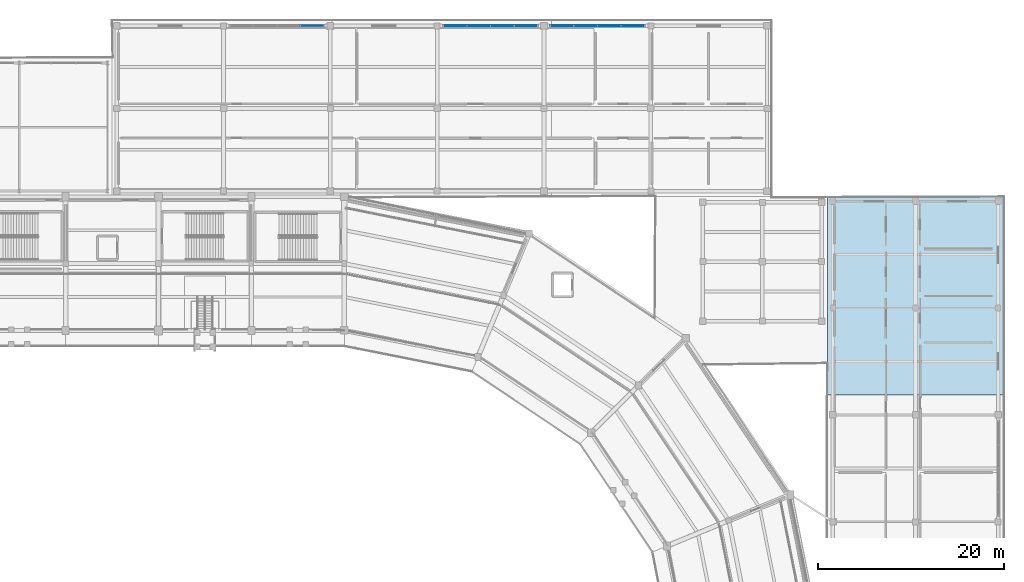
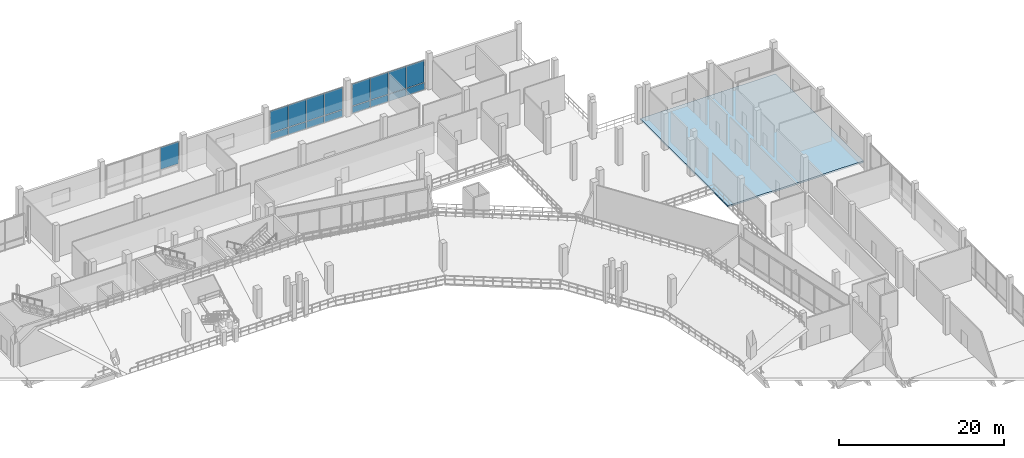
# One storey, part 71 of 127: 17 plates, 1 slab, 3 elements without a shape of their own.
"""IFC4 building model written with IfcOpenShell, lengths in metres."""

from ifc_helpers import new_model, si_unit, direction, frame, origin, origin_2d, place, context, subcontext, project, spatial, polyline, rectangle, outline, extrude, material, layer, layer_set, type_object, element, aggregate, save


model = new_model("IFC4")

# Units and contexts
model_context = context("Model", 3, precision=1e-05, world=origin(), true_north=direction((0.0, 1.0)))
body_context = subcontext(model_context, "Body", "Model", "MODEL_VIEW")
ifc_project = project(units=[si_unit("LENGTHUNIT", "METRE"), si_unit("AREAUNIT", "SQUARE_METRE"), si_unit("VOLUMEUNIT", "CUBIC_METRE"), si_unit("PLANEANGLEUNIT", "RADIAN"), si_unit("MASSUNIT", "GRAM", prefix="KILO")], contexts=[model_context])

# Site, building, storey
site_placement = place(None, origin())
site = spatial("IfcSite", under=ifc_project, at=site_placement, CompositionType="ELEMENT")
building_placement = place(site_placement, origin())
building = spatial("IfcBuilding", under=site, at=building_placement, Name="Candeia Ridge Stadium", CompositionType="ELEMENT")
storey_placement = place(building_placement, frame((0.0, 0.0, 10.800048828125)))
storey = spatial("IfcBuildingStorey", under=building, at=storey_placement, Name="L02", CompositionType="ELEMENT", Elevation=10.800048828125)

# Slab
ifc_material_1 = material(Name="Concrete C40/50", Category="concrete")
ifc_layer_1 = layer(ifc_material_1, 0.25, Name="Concrete C40/50", Category="concrete")
ifc_layer_set_1 = layer_set([ifc_layer_1], Name="Concrete C40/50")
slab_type = type_object("IfcSlabType", Name="Hospitality & Museum Slab 250", PredefinedType="FLOOR", material=ifc_layer_set_1)
slab_placement = place(storey_placement, frame((0.0, 0.0, -0.25)))
element("IfcSlab", 1, at=slab_placement, inside=storey, type_object=slab_type, Name="Wing floor slab east SLB-L02-0256", PredefinedType="FLOOR", context=body_context, shape_type="SweptSolid", body=[
    extrude(outline(polyline([(193.0, 125.666748046875), (193.0, 147.0), (212.0, 147.0), (212.0, 125.666748046875), (193.0, 125.666748046875)])), origin(), (0.0, 0.0, 1.0), 0.25),
])

# Curtain wall, plates
ifc_material_2 = material(Name="Aluminium Anodized Warm Bronze", Category="aluminium")
curtain_wall_type = type_object("IfcCurtainWallType", Name="Museum & Boulevard Showcase Curtain Wall", PredefinedType="NOTDEFINED", material=ifc_material_2)
curtain_wall_1_placement = place(storey_placement, origin())
curtain_wall_1 = element("IfcCurtainWall", 2, at=curtain_wall_1_placement, inside=storey, type_object=curtain_wall_type, Name="Unitised curtain wall CW-WNG-L02-153", PredefinedType="NOTDEFINED")
ifc_material_3 = material(Name="Aluminium Insulated Spandrel", Category="aluminium")
ifc_layer_2 = layer(ifc_material_3, 0.06494140625, Name="Aluminium Insulated Spandrel", Category="aluminium")
ifc_layer_set_2 = layer_set([ifc_layer_2], Name="Aluminium Insulated Spandrel")
plate_type_1 = type_object("IfcPlateType", Name="Insulated Cedar-Tone Spandrel Panel SP3", PredefinedType="CURTAIN_PANEL", material=ifc_layer_set_2)
plate_1_placement = place(storey_placement, frame((152.9326171875, 165.39990234375, 0.0400390625), z_axis=(0.0, 0.0, 1.0), x_axis=(1.0, 0.0, 0.0)))
plate_1 = element("IfcPlate", 3, at=plate_1_placement, type_object=plate_type_1, Name="Curtain wall spandrel panel CW-WNG-L02-153-SP0", PredefinedType="CURTAIN_PANEL", context=body_context, shape_type="SweptSolid", body=[
    extrude(rectangle(XDim=2.47509765625, YDim=0.06494140625, at=origin_2d()), origin(), (0.0, 0.0, 1.0), 1.02001953125),
])
plate_2_placement = place(storey_placement, frame((155.4775390625, 165.39990234375, 0.0400390625), z_axis=(0.0, 0.0, 1.0), x_axis=(1.0, 0.0, 0.0)))
plate_2 = element("IfcPlate", 4, at=plate_2_placement, type_object=plate_type_1, Name="Curtain wall spandrel panel CW-WNG-L02-153-SP1", PredefinedType="CURTAIN_PANEL", context=body_context, shape_type="SweptSolid", body=[
    extrude(rectangle(XDim=2.47509765625, YDim=0.06494140625, at=origin_2d()), origin(), (0.0, 0.0, 1.0), 1.02001953125),
])
plate_3_placement = place(storey_placement, frame((158.0224609375, 165.39990234375, 0.0400390625), z_axis=(0.0, 0.0, 1.0), x_axis=(1.0, 0.0, 0.0)))
plate_3 = element("IfcPlate", 5, at=plate_3_placement, type_object=plate_type_1, Name="Curtain wall spandrel panel CW-WNG-L02-153-SP2", PredefinedType="CURTAIN_PANEL", context=body_context, shape_type="SweptSolid", body=[
    extrude(rectangle(XDim=2.47509765625, YDim=0.06494140625, at=origin_2d()), origin(), (0.0, 0.0, 1.0), 1.02001953125),
])
plate_4_placement = place(storey_placement, frame((160.5673828125, 165.39990234375, 0.0400390625), z_axis=(0.0, 0.0, 1.0), x_axis=(1.0, 0.0, 0.0)))
plate_4 = element("IfcPlate", 6, at=plate_4_placement, type_object=plate_type_1, Name="Curtain wall spandrel panel CW-WNG-L02-153-SP3", PredefinedType="CURTAIN_PANEL", context=body_context, shape_type="SweptSolid", body=[
    extrude(rectangle(XDim=2.47509765625, YDim=0.06494140625, at=origin_2d()), origin(), (0.0, 0.0, 1.0), 1.02001953125),
])

curtain_wall_2_placement = place(storey_placement, origin())
curtain_wall_2 = element("IfcCurtainWall", 7, at=curtain_wall_2_placement, inside=storey, type_object=curtain_wall_type, Name="Unitised curtain wall CW-WNG-L02-154", PredefinedType="NOTDEFINED")
plate_5_placement = place(storey_placement, frame((164.4326171875, 165.39990234375, 0.0400390625), z_axis=(0.0, 0.0, 1.0), x_axis=(1.0, 0.0, 0.0)))
plate_5 = element("IfcPlate", 8, at=plate_5_placement, type_object=plate_type_1, Name="Curtain wall spandrel panel CW-WNG-L02-154-SP0", PredefinedType="CURTAIN_PANEL", context=body_context, shape_type="SweptSolid", body=[
    extrude(rectangle(XDim=2.47509765625, YDim=0.06494140625, at=origin_2d()), origin(), (0.0, 0.0, 1.0), 1.02001953125),
])
plate_6_placement = place(storey_placement, frame((166.9775390625, 165.39990234375, 0.0400390625), z_axis=(0.0, 0.0, 1.0), x_axis=(1.0, 0.0, 0.0)))
plate_6 = element("IfcPlate", 9, at=plate_6_placement, type_object=plate_type_1, Name="Curtain wall spandrel panel CW-WNG-L02-154-SP1", PredefinedType="CURTAIN_PANEL", context=body_context, shape_type="SweptSolid", body=[
    extrude(rectangle(XDim=2.47509765625, YDim=0.06494140625, at=origin_2d()), origin(), (0.0, 0.0, 1.0), 1.02001953125),
])
plate_7_placement = place(storey_placement, frame((169.5224609375, 165.39990234375, 0.0400390625), z_axis=(0.0, 0.0, 1.0), x_axis=(1.0, 0.0, 0.0)))
plate_7 = element("IfcPlate", 10, at=plate_7_placement, type_object=plate_type_1, Name="Curtain wall spandrel panel CW-WNG-L02-154-SP2", PredefinedType="CURTAIN_PANEL", context=body_context, shape_type="SweptSolid", body=[
    extrude(rectangle(XDim=2.47509765625, YDim=0.06494140625, at=origin_2d()), origin(), (0.0, 0.0, 1.0), 1.02001953125),
])
plate_8_placement = place(storey_placement, frame((172.0673828125, 165.39990234375, 0.0400390625), z_axis=(0.0, 0.0, 1.0), x_axis=(1.0, 0.0, 0.0)))
plate_8 = element("IfcPlate", 11, at=plate_8_placement, type_object=plate_type_1, Name="Curtain wall spandrel panel CW-WNG-L02-154-SP3", PredefinedType="CURTAIN_PANEL", context=body_context, shape_type="SweptSolid", body=[
    extrude(rectangle(XDim=2.47509765625, YDim=0.06494140625, at=origin_2d()), origin(), (0.0, 0.0, 1.0), 1.02001953125),
])

# Curtain wall, plate
curtain_wall_3_placement = place(storey_placement, origin())
curtain_wall_3 = element("IfcCurtainWall", 12, at=curtain_wall_3_placement, inside=storey, type_object=curtain_wall_type, Name="Unitised curtain wall CW-WNG-L02-152", PredefinedType="NOTDEFINED")
ifc_material_4 = material(Name="Tempered Low-E Double Glazing", Category="glass")
ifc_layer_3 = layer(ifc_material_4, 0.035888671875, Name="Tempered Low-E Double Glazing", Category="glass")
ifc_layer_set_3 = layer_set([ifc_layer_3], Name="Tempered Low-E Double Glazing")
plate_type_2 = type_object("IfcPlateType", Name="Pavilion Panorama Glass Panel GP4", PredefinedType="CURTAIN_PANEL", material=ifc_layer_set_3)
plate_9_placement = place(storey_placement, frame((137.5673828125, 165.39990234375, 1.139892578125), z_axis=(0.0, 0.0, 1.0), x_axis=(1.0, 0.0, 0.0)))
plate_9 = element("IfcPlate", 13, at=plate_9_placement, type_object=plate_type_2, Name="Curtain wall vision glass panel CW-WNG-L02-152-GP3", PredefinedType="CURTAIN_PANEL", context=body_context, shape_type="SweptSolid", body=[
    extrude(rectangle(XDim=2.47509765625, YDim=0.035888671875, at=origin_2d()), origin(), (0.0, 0.0, 1.0), 3.27490234375),
])
aggregate(curtain_wall_3, [plate_9])

# Plate
plate_10_placement = place(storey_placement, frame((152.9326171875, 165.39990234375, 1.139892578125), z_axis=(0.0, 0.0, 1.0), x_axis=(1.0, 0.0, 0.0)))
plate_10 = element("IfcPlate", 14, at=plate_10_placement, type_object=plate_type_2, Name="Curtain wall vision glass panel CW-WNG-L02-153-GP0", PredefinedType="CURTAIN_PANEL", context=body_context, shape_type="SweptSolid", body=[
    extrude(rectangle(XDim=2.47509765625, YDim=0.035888671875, at=origin_2d()), origin(), (0.0, 0.0, 1.0), 3.27490234375),
])

plate_11_placement = place(storey_placement, frame((155.4775390625, 165.39990234375, 1.139892578125), z_axis=(0.0, 0.0, 1.0), x_axis=(1.0, 0.0, 0.0)))
plate_11 = element("IfcPlate", 15, at=plate_11_placement, type_object=plate_type_2, Name="Curtain wall vision glass panel CW-WNG-L02-153-GP1", PredefinedType="CURTAIN_PANEL", context=body_context, shape_type="SweptSolid", body=[
    extrude(rectangle(XDim=2.47509765625, YDim=0.035888671875, at=origin_2d()), origin(), (0.0, 0.0, 1.0), 3.27490234375),
])

plate_12_placement = place(storey_placement, frame((158.0224609375, 165.39990234375, 1.139892578125), z_axis=(0.0, 0.0, 1.0), x_axis=(1.0, 0.0, 0.0)))
plate_12 = element("IfcPlate", 16, at=plate_12_placement, type_object=plate_type_2, Name="Curtain wall vision glass panel CW-WNG-L02-153-GP2", PredefinedType="CURTAIN_PANEL", context=body_context, shape_type="SweptSolid", body=[
    extrude(rectangle(XDim=2.47509765625, YDim=0.035888671875, at=origin_2d()), origin(), (0.0, 0.0, 1.0), 3.27490234375),
])

plate_13_placement = place(storey_placement, frame((160.5673828125, 165.39990234375, 1.139892578125), z_axis=(0.0, 0.0, 1.0), x_axis=(1.0, 0.0, 0.0)))
plate_13 = element("IfcPlate", 17, at=plate_13_placement, type_object=plate_type_2, Name="Curtain wall vision glass panel CW-WNG-L02-153-GP3", PredefinedType="CURTAIN_PANEL", context=body_context, shape_type="SweptSolid", body=[
    extrude(rectangle(XDim=2.47509765625, YDim=0.035888671875, at=origin_2d()), origin(), (0.0, 0.0, 1.0), 3.27490234375),
])

aggregate(curtain_wall_1, [plate_1, plate_10, plate_2, plate_11, plate_3, plate_12, plate_4, plate_13])

plate_14_placement = place(storey_placement, frame((164.4326171875, 165.39990234375, 1.139892578125), z_axis=(0.0, 0.0, 1.0), x_axis=(1.0, 0.0, 0.0)))
plate_14 = element("IfcPlate", 18, at=plate_14_placement, type_object=plate_type_2, Name="Curtain wall vision glass panel CW-WNG-L02-154-GP0", PredefinedType="CURTAIN_PANEL", context=body_context, shape_type="SweptSolid", body=[
    extrude(rectangle(XDim=2.47509765625, YDim=0.035888671875, at=origin_2d()), origin(), (0.0, 0.0, 1.0), 3.27490234375),
])

plate_15_placement = place(storey_placement, frame((166.9775390625, 165.39990234375, 1.139892578125), z_axis=(0.0, 0.0, 1.0), x_axis=(1.0, 0.0, 0.0)))
plate_15 = element("IfcPlate", 19, at=plate_15_placement, type_object=plate_type_2, Name="Curtain wall vision glass panel CW-WNG-L02-154-GP1", PredefinedType="CURTAIN_PANEL", context=body_context, shape_type="SweptSolid", body=[
    extrude(rectangle(XDim=2.47509765625, YDim=0.035888671875, at=origin_2d()), origin(), (0.0, 0.0, 1.0), 3.27490234375),
])

plate_16_placement = place(storey_placement, frame((169.5224609375, 165.39990234375, 1.139892578125), z_axis=(0.0, 0.0, 1.0), x_axis=(1.0, 0.0, 0.0)))
plate_16 = element("IfcPlate", 20, at=plate_16_placement, type_object=plate_type_2, Name="Curtain wall vision glass panel CW-WNG-L02-154-GP2", PredefinedType="CURTAIN_PANEL", context=body_context, shape_type="SweptSolid", body=[
    extrude(rectangle(XDim=2.47509765625, YDim=0.035888671875, at=origin_2d()), origin(), (0.0, 0.0, 1.0), 3.27490234375),
])

plate_17_placement = place(storey_placement, frame((172.0673828125, 165.39990234375, 1.139892578125), z_axis=(0.0, 0.0, 1.0), x_axis=(1.0, 0.0, 0.0)))
plate_17 = element("IfcPlate", 21, at=plate_17_placement, type_object=plate_type_2, Name="Curtain wall vision glass panel CW-WNG-L02-154-GP3", PredefinedType="CURTAIN_PANEL", context=body_context, shape_type="SweptSolid", body=[
    extrude(rectangle(XDim=2.47509765625, YDim=0.035888671875, at=origin_2d()), origin(), (0.0, 0.0, 1.0), 3.27490234375),
])

aggregate(curtain_wall_2, [plate_5, plate_14, plate_6, plate_15, plate_7, plate_16, plate_8, plate_17])

save(model, "model.ifc")
